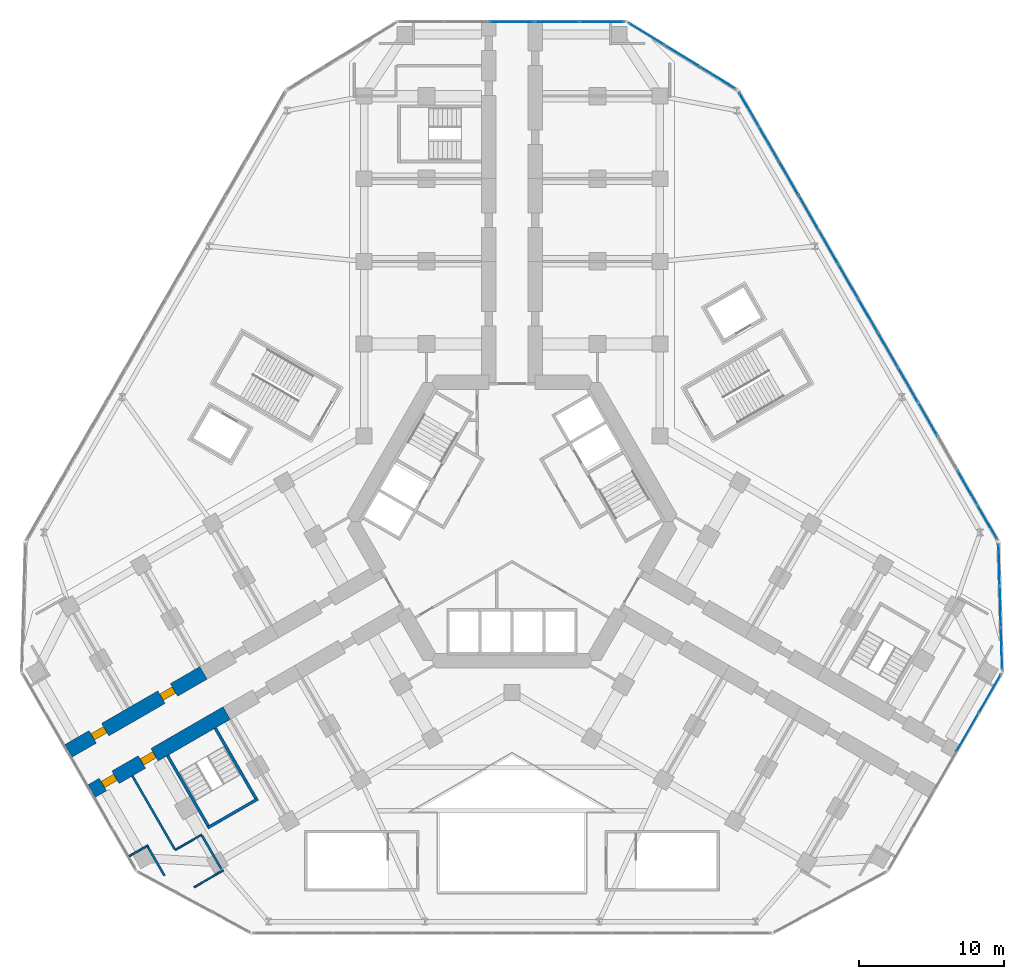
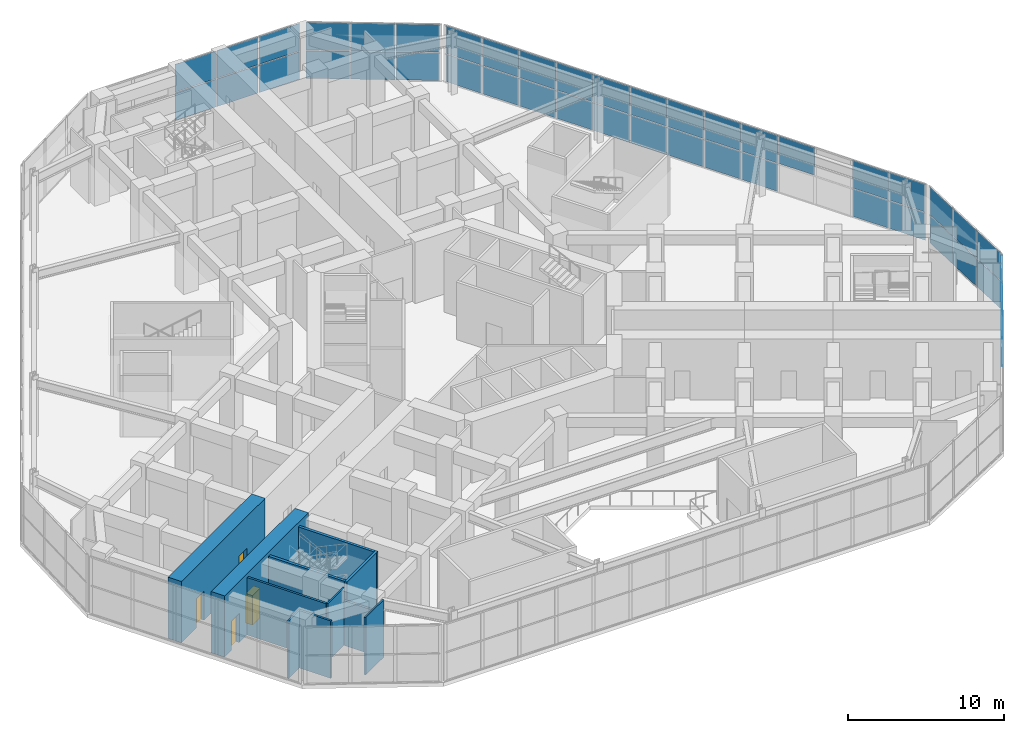
# One storey, part 14 of 22: 45 plates, 11 walls, 4 doors, 4 openings, 5 elements without a shape of their own.
"""IFC4 building model written with IfcOpenShell, lengths in metres."""

from ifc_helpers import new_model, si_unit, direction, frame, frame_2d, origin, origin_2d, place, context, subcontext, project, spatial, rectangle, extrude, material, layer, layer_set, type_object, element, fill, aggregate, save


model = new_model("IFC4")

# Units and contexts
model_context = context("Model", 3, precision=1e-05, world=origin(), true_north=direction((0.0, 1.0)))
body_context = subcontext(model_context, "Body", "Model", "MODEL_VIEW")
ifc_project = project(units=[si_unit("LENGTHUNIT", "METRE"), si_unit("AREAUNIT", "SQUARE_METRE"), si_unit("VOLUMEUNIT", "CUBIC_METRE"), si_unit("PLANEANGLEUNIT", "RADIAN"), si_unit("MASSUNIT", "GRAM", prefix="KILO")], contexts=[model_context])

# Site, building, storey
site_placement = place(None, origin())
site = spatial("IfcSite", under=ifc_project, at=site_placement, CompositionType="ELEMENT")
building_placement = place(site_placement, origin())
building = spatial("IfcBuilding", under=site, at=building_placement, Name="Kosmar Iwan School Tower", CompositionType="ELEMENT")
storey_placement = place(building_placement, frame((0.0, 0.0, 15.60009765625)))
storey = spatial("IfcBuildingStorey", under=building, at=storey_placement, Name="L03", CompositionType="ELEMENT", Elevation=15.60009765625)

# Curtain wall, plates
ifc_material_1 = material(Name="Dark glass in black aluminium frame", Category="aluminium")
curtain_wall_type_1 = type_object("IfcCurtainWallType", Name="Tower curtain wall dark glass", PredefinedType="USERDEFINED", material=ifc_material_1)
curtain_wall_1_placement = place(storey_placement, origin())
curtain_wall_1 = element("IfcCurtainWall", 1, at=curtain_wall_1_placement, inside=storey, type_object=curtain_wall_type_1, Name="Curtain wall L03-F02", ObjectType="UNITISED CURTAIN WALL", PredefinedType="USERDEFINED")
ifc_material_2 = material(Name="Dark glass", Category="glass")
ifc_layer_1 = layer(ifc_material_2, 0.028076171875)
ifc_layer_set_1 = layer_set([ifc_layer_1], Name="Dark glass panel 28")
plate_type = type_object("IfcPlateType", Name="Dark glass panel 28", PredefinedType="CURTAIN_PANEL", material=ifc_layer_set_1)
plate_1_placement = place(storey_placement, frame((31.4091796875, -14.5478515625, 0.06005859375), z_axis=(0.0, 0.0, 1.0), x_axis=(0.500000014057, 0.866025395669, 0.0)))
plate_1 = element("IfcPlate", 2, at=plate_1_placement, type_object=plate_type, Name="CW1 panel 4.1", PredefinedType="CURTAIN_PANEL", context=body_context, shape_type="SweptSolid", body=[
    extrude(rectangle(XDim=3.040771484375, YDim=0.028076171875, at=origin_2d()), origin(), (0.0, 0.0, 1.0), 2.159912109375),
])
plate_2_placement = place(storey_placement, frame((31.4091796875, -14.5478515625, 2.27978515625), z_axis=(0.0, 0.0, 1.0), x_axis=(0.500000014057, 0.866025395669, 0.0)))
plate_2 = element("IfcPlate", 3, at=plate_2_placement, type_object=plate_type, Name="CW1 panel 4.2", PredefinedType="CURTAIN_PANEL", context=body_context, shape_type="SweptSolid", body=[
    extrude(rectangle(XDim=3.040771484375, YDim=0.028076171875, at=origin_2d()), origin(), (0.0, 0.0, 1.0), 2.159912109375),
])
plate_3_placement = place(storey_placement, frame((32.953857421875, -11.8720703125, 0.06005859375), z_axis=(0.0, 0.0, 1.0), x_axis=(0.500000014057, 0.866025395669, 0.0)))
plate_3 = element("IfcPlate", 4, at=plate_3_placement, type_object=plate_type, Name="CW1 panel 5.1", PredefinedType="CURTAIN_PANEL", context=body_context, shape_type="SweptSolid", body=[
    extrude(rectangle(XDim=3.00830078125, YDim=0.028076171875, at=origin_2d()), origin(), (0.0, 0.0, 1.0), 2.159912109375),
])
plate_4_placement = place(storey_placement, frame((32.953857421875, -11.8720703125, 2.27978515625), z_axis=(0.0, 0.0, 1.0), x_axis=(0.500000014057, 0.866025395669, 0.0)))
plate_4 = element("IfcPlate", 5, at=plate_4_placement, type_object=plate_type, Name="CW1 panel 5.2", PredefinedType="CURTAIN_PANEL", context=body_context, shape_type="SweptSolid", body=[
    extrude(rectangle(XDim=3.00830078125, YDim=0.028076171875, at=origin_2d()), origin(), (0.0, 0.0, 1.0), 2.159912109375),
])
aggregate(curtain_wall_1, [plate_1, plate_2, plate_3, plate_4])

ifc_material_3 = material(Name="Dark glass in black aluminium frame", Category="aluminium")
curtain_wall_type_2 = type_object("IfcCurtainWallType", Name="Podium curtain wall", PredefinedType="USERDEFINED", material=ifc_material_3)
curtain_wall_2_placement = place(storey_placement, origin())
curtain_wall_2 = element("IfcCurtainWall", 6, at=curtain_wall_2_placement, inside=storey, type_object=curtain_wall_type_2, Name="Curtain wall L03-F03", ObjectType="STICK CURTAIN WALL", PredefinedType="USERDEFINED")
plate_5_placement = place(storey_placement, frame((33.767578125, -8.765380859375, 0.06005859375), z_axis=(0.0, 0.0, 1.0), x_axis=(-0.028386151255, 0.999597032017, 0.0)))
plate_5 = element("IfcPlate", 7, at=plate_5_placement, type_object=plate_type, Name="CW3 panel 1.1", PredefinedType="CURTAIN_PANEL", context=body_context, shape_type="SweptSolid", body=[
    extrude(rectangle(XDim=2.806884765625, YDim=0.028076171875, at=origin_2d()), origin(), (0.0, 0.0, 1.0), 2.159912109375),
])
plate_6_placement = place(storey_placement, frame((33.767578125, -8.765380859375, 2.27978515625), z_axis=(0.0, 0.0, 1.0), x_axis=(-0.028386151255, 0.999597032017, 0.0)))
plate_6 = element("IfcPlate", 8, at=plate_6_placement, type_object=plate_type, Name="CW3 panel 1.2", PredefinedType="CURTAIN_PANEL", context=body_context, shape_type="SweptSolid", body=[
    extrude(rectangle(XDim=2.806884765625, YDim=0.028076171875, at=origin_2d()), origin(), (0.0, 0.0, 1.0), 2.159912109375),
])
plate_7_placement = place(storey_placement, frame((33.685546875, -5.87841796875, 0.06005859375), z_axis=(0.0, 0.0, 1.0), x_axis=(-0.028386151255, 0.999597032017, 0.0)))
plate_7 = element("IfcPlate", 9, at=plate_7_placement, type_object=plate_type, Name="CW3 panel 2.1", PredefinedType="CURTAIN_PANEL", context=body_context, shape_type="SweptSolid", body=[
    extrude(rectangle(XDim=2.83935546875, YDim=0.028076171875, at=origin_2d()), origin(), (0.0, 0.0, 1.0), 2.159912109375),
])
plate_8_placement = place(storey_placement, frame((33.685546875, -5.87841796875, 2.27978515625), z_axis=(0.0, 0.0, 1.0), x_axis=(-0.028386151255, 0.999597032017, 0.0)))
plate_8 = element("IfcPlate", 10, at=plate_8_placement, type_object=plate_type, Name="CW3 panel 2.2", PredefinedType="CURTAIN_PANEL", context=body_context, shape_type="SweptSolid", body=[
    extrude(rectangle(XDim=2.83935546875, YDim=0.028076171875, at=origin_2d()), origin(), (0.0, 0.0, 1.0), 2.159912109375),
])
plate_9_placement = place(storey_placement, frame((33.603515625, -2.991455078125, 0.06005859375), z_axis=(0.0, 0.0, 1.0), x_axis=(-0.028386151255, 0.999597032017, 0.0)))
plate_9 = element("IfcPlate", 11, at=plate_9_placement, type_object=plate_type, Name="CW3 panel 3.1", PredefinedType="CURTAIN_PANEL", context=body_context, shape_type="SweptSolid", body=[
    extrude(rectangle(XDim=2.806884765625, YDim=0.028076171875, at=origin_2d()), origin(), (0.0, 0.0, 1.0), 2.159912109375),
])
plate_10_placement = place(storey_placement, frame((33.603515625, -2.991455078125, 2.27978515625), z_axis=(0.0, 0.0, 1.0), x_axis=(-0.028386151255, 0.999597032017, 0.0)))
plate_10 = element("IfcPlate", 12, at=plate_10_placement, type_object=plate_type, Name="CW3 panel 3.2", PredefinedType="CURTAIN_PANEL", context=body_context, shape_type="SweptSolid", body=[
    extrude(rectangle(XDim=2.806884765625, YDim=0.028076171875, at=origin_2d()), origin(), (0.0, 0.0, 1.0), 2.159912109375),
])
aggregate(curtain_wall_2, [plate_5, plate_6, plate_7, plate_8, plate_9, plate_10])

curtain_wall_3_placement = place(storey_placement, origin())
curtain_wall_3 = element("IfcCurtainWall", 13, at=curtain_wall_3_placement, inside=storey, type_object=curtain_wall_type_2, Name="Curtain wall L03-F04", ObjectType="STICK CURTAIN WALL", PredefinedType="USERDEFINED")
plate_11_placement = place(storey_placement, frame((32.789306640625, -0.04248046875, 0.06005859375), z_axis=(0.0, 0.0, 1.0), x_axis=(-0.50000002237, 0.866025390869, 0.0)))
plate_11 = element("IfcPlate", 14, at=plate_11_placement, type_object=plate_type, Name="CW3 panel 1.1", PredefinedType="CURTAIN_PANEL", context=body_context, shape_type="SweptSolid", body=[
    extrude(rectangle(XDim=2.643798828125, YDim=0.028076171875, at=origin_2d()), origin(), (0.0, 0.0, 1.0), 2.159912109375),
])
plate_12_placement = place(storey_placement, frame((32.789306640625, -0.04248046875, 2.27978515625), z_axis=(0.0, 0.0, 1.0), x_axis=(-0.50000002237, 0.866025390869, 0.0)))
plate_12 = element("IfcPlate", 15, at=plate_12_placement, type_object=plate_type, Name="CW3 panel 1.2", PredefinedType="CURTAIN_PANEL", context=body_context, shape_type="SweptSolid", body=[
    extrude(rectangle(XDim=2.643798828125, YDim=0.028076171875, at=origin_2d()), origin(), (0.0, 0.0, 1.0), 2.159912109375),
])
plate_13_placement = place(storey_placement, frame((31.4267578125, 2.3173828125, 0.06005859375), z_axis=(0.0, 0.0, 1.0), x_axis=(-0.50000002237, 0.866025390869, 0.0)))
plate_13 = element("IfcPlate", 16, at=plate_13_placement, type_object=plate_type, Name="CW3 panel 2.1", PredefinedType="CURTAIN_PANEL", context=body_context, shape_type="SweptSolid", body=[
    extrude(rectangle(XDim=2.67626953125, YDim=0.028076171875, at=origin_2d()), origin(), (0.0, 0.0, 1.0), 2.159912109375),
])
plate_14_placement = place(storey_placement, frame((31.4267578125, 2.3173828125, 2.27978515625), z_axis=(0.0, 0.0, 1.0), x_axis=(-0.50000002237, 0.866025390869, 0.0)))
plate_14 = element("IfcPlate", 17, at=plate_14_placement, type_object=plate_type, Name="CW3 panel 2.2", PredefinedType="CURTAIN_PANEL", context=body_context, shape_type="SweptSolid", body=[
    extrude(rectangle(XDim=2.67626953125, YDim=0.028076171875, at=origin_2d()), origin(), (0.0, 0.0, 1.0), 2.159912109375),
])
plate_15_placement = place(storey_placement, frame((28.685302734375, 7.0654296875, 2.27978515625), z_axis=(0.0, 0.0, 1.0), x_axis=(-0.50000002237, 0.866025390869, 0.0)))
plate_15 = element("IfcPlate", 18, at=plate_15_placement, type_object=plate_type, Name="CW3 panel 4.2", PredefinedType="CURTAIN_PANEL", context=body_context, shape_type="SweptSolid", body=[
    extrude(rectangle(XDim=2.67626953125, YDim=0.028076171875, at=origin_2d()), origin(), (0.0, 0.0, 1.0), 2.159912109375),
])
plate_16_placement = place(storey_placement, frame((27.314697265625, 9.439453125, 0.06005859375), z_axis=(0.0, 0.0, 1.0), x_axis=(-0.50000002237, 0.866025390869, 0.0)))
plate_16 = element("IfcPlate", 19, at=plate_16_placement, type_object=plate_type, Name="CW3 panel 5.1", PredefinedType="CURTAIN_PANEL", context=body_context, shape_type="SweptSolid", body=[
    extrude(rectangle(XDim=2.67626953125, YDim=0.028076171875, at=origin_2d()), origin(), (0.0, 0.0, 1.0), 2.159912109375),
])
plate_17_placement = place(storey_placement, frame((27.314697265625, 9.439453125, 2.27978515625), z_axis=(0.0, 0.0, 1.0), x_axis=(-0.50000002237, 0.866025390869, 0.0)))
plate_17 = element("IfcPlate", 20, at=plate_17_placement, type_object=plate_type, Name="CW3 panel 5.2", PredefinedType="CURTAIN_PANEL", context=body_context, shape_type="SweptSolid", body=[
    extrude(rectangle(XDim=2.67626953125, YDim=0.028076171875, at=origin_2d()), origin(), (0.0, 0.0, 1.0), 2.159912109375),
])
plate_18_placement = place(storey_placement, frame((25.944091796875, 11.8134765625, 0.06005859375), z_axis=(0.0, 0.0, 1.0), x_axis=(-0.50000002237, 0.866025390869, 0.0)))
plate_18 = element("IfcPlate", 21, at=plate_18_placement, type_object=plate_type, Name="CW3 panel 6.1", PredefinedType="CURTAIN_PANEL", context=body_context, shape_type="SweptSolid", body=[
    extrude(rectangle(XDim=2.67626953125, YDim=0.028076171875, at=origin_2d()), origin(), (0.0, 0.0, 1.0), 2.159912109375),
])
plate_19_placement = place(storey_placement, frame((25.944091796875, 11.8134765625, 2.27978515625), z_axis=(0.0, 0.0, 1.0), x_axis=(-0.50000002237, 0.866025390869, 0.0)))
plate_19 = element("IfcPlate", 22, at=plate_19_placement, type_object=plate_type, Name="CW3 panel 6.2", PredefinedType="CURTAIN_PANEL", context=body_context, shape_type="SweptSolid", body=[
    extrude(rectangle(XDim=2.67626953125, YDim=0.028076171875, at=origin_2d()), origin(), (0.0, 0.0, 1.0), 2.159912109375),
])
plate_20_placement = place(storey_placement, frame((24.573486328125, 14.1875, 0.06005859375), z_axis=(0.0, 0.0, 1.0), x_axis=(-0.50000002237, 0.866025390869, 0.0)))
plate_20 = element("IfcPlate", 23, at=plate_20_placement, type_object=plate_type, Name="CW3 panel 7.1", PredefinedType="CURTAIN_PANEL", context=body_context, shape_type="SweptSolid", body=[
    extrude(rectangle(XDim=2.67626953125, YDim=0.028076171875, at=origin_2d()), origin(), (0.0, 0.0, 1.0), 2.159912109375),
])
plate_21_placement = place(storey_placement, frame((24.573486328125, 14.1875, 2.27978515625), z_axis=(0.0, 0.0, 1.0), x_axis=(-0.50000002237, 0.866025390869, 0.0)))
plate_21 = element("IfcPlate", 24, at=plate_21_placement, type_object=plate_type, Name="CW3 panel 7.2", PredefinedType="CURTAIN_PANEL", context=body_context, shape_type="SweptSolid", body=[
    extrude(rectangle(XDim=2.67626953125, YDim=0.028076171875, at=origin_2d()), origin(), (0.0, 0.0, 1.0), 2.159912109375),
])
plate_22_placement = place(storey_placement, frame((23.202880859375, 16.5615234375, 0.06005859375), z_axis=(0.0, 0.0, 1.0), x_axis=(-0.50000002237, 0.866025390869, 0.0)))
plate_22 = element("IfcPlate", 25, at=plate_22_placement, type_object=plate_type, Name="CW3 panel 8.1", PredefinedType="CURTAIN_PANEL", context=body_context, shape_type="SweptSolid", body=[
    extrude(rectangle(XDim=2.67626953125, YDim=0.028076171875, at=origin_2d()), origin(), (0.0, 0.0, 1.0), 2.159912109375),
])
plate_23_placement = place(storey_placement, frame((23.202880859375, 16.5615234375, 2.27978515625), z_axis=(0.0, 0.0, 1.0), x_axis=(-0.50000002237, 0.866025390869, 0.0)))
plate_23 = element("IfcPlate", 26, at=plate_23_placement, type_object=plate_type, Name="CW3 panel 8.2", PredefinedType="CURTAIN_PANEL", context=body_context, shape_type="SweptSolid", body=[
    extrude(rectangle(XDim=2.67626953125, YDim=0.028076171875, at=origin_2d()), origin(), (0.0, 0.0, 1.0), 2.159912109375),
])
plate_24_placement = place(storey_placement, frame((21.832275390625, 18.935546875, 0.06005859375), z_axis=(0.0, 0.0, 1.0), x_axis=(-0.50000002237, 0.866025390869, 0.0)))
plate_24 = element("IfcPlate", 27, at=plate_24_placement, type_object=plate_type, Name="CW3 panel 9.1", PredefinedType="CURTAIN_PANEL", context=body_context, shape_type="SweptSolid", body=[
    extrude(rectangle(XDim=2.67626953125, YDim=0.028076171875, at=origin_2d()), origin(), (0.0, 0.0, 1.0), 2.159912109375),
])
plate_25_placement = place(storey_placement, frame((21.832275390625, 18.935546875, 2.27978515625), z_axis=(0.0, 0.0, 1.0), x_axis=(-0.50000002237, 0.866025390869, 0.0)))
plate_25 = element("IfcPlate", 28, at=plate_25_placement, type_object=plate_type, Name="CW3 panel 9.2", PredefinedType="CURTAIN_PANEL", context=body_context, shape_type="SweptSolid", body=[
    extrude(rectangle(XDim=2.67626953125, YDim=0.028076171875, at=origin_2d()), origin(), (0.0, 0.0, 1.0), 2.159912109375),
])
plate_26_placement = place(storey_placement, frame((20.46142578125, 21.3095703125, 0.06005859375), z_axis=(0.0, 0.0, 1.0), x_axis=(-0.50000002237, 0.866025390869, 0.0)))
plate_26 = element("IfcPlate", 29, at=plate_26_placement, type_object=plate_type, Name="CW3 panel 10.1", PredefinedType="CURTAIN_PANEL", context=body_context, shape_type="SweptSolid", body=[
    extrude(rectangle(XDim=2.67626953125, YDim=0.028076171875, at=origin_2d()), origin(), (0.0, 0.0, 1.0), 2.159912109375),
])
plate_27_placement = place(storey_placement, frame((20.46142578125, 21.3095703125, 2.27978515625), z_axis=(0.0, 0.0, 1.0), x_axis=(-0.50000002237, 0.866025390869, 0.0)))
plate_27 = element("IfcPlate", 30, at=plate_27_placement, type_object=plate_type, Name="CW3 panel 10.2", PredefinedType="CURTAIN_PANEL", context=body_context, shape_type="SweptSolid", body=[
    extrude(rectangle(XDim=2.67626953125, YDim=0.028076171875, at=origin_2d()), origin(), (0.0, 0.0, 1.0), 2.159912109375),
])
plate_28_placement = place(storey_placement, frame((19.0908203125, 23.68359375, 0.06005859375), z_axis=(0.0, 0.0, 1.0), x_axis=(-0.50000002237, 0.866025390869, 0.0)))
plate_28 = element("IfcPlate", 31, at=plate_28_placement, type_object=plate_type, Name="CW3 panel 11.1", PredefinedType="CURTAIN_PANEL", context=body_context, shape_type="SweptSolid", body=[
    extrude(rectangle(XDim=2.67626953125, YDim=0.028076171875, at=origin_2d()), origin(), (0.0, 0.0, 1.0), 2.159912109375),
])
plate_29_placement = place(storey_placement, frame((19.0908203125, 23.68359375, 2.27978515625), z_axis=(0.0, 0.0, 1.0), x_axis=(-0.50000002237, 0.866025390869, 0.0)))
plate_29 = element("IfcPlate", 32, at=plate_29_placement, type_object=plate_type, Name="CW3 panel 11.2", PredefinedType="CURTAIN_PANEL", context=body_context, shape_type="SweptSolid", body=[
    extrude(rectangle(XDim=2.67626953125, YDim=0.028076171875, at=origin_2d()), origin(), (0.0, 0.0, 1.0), 2.159912109375),
])
plate_30_placement = place(storey_placement, frame((17.72021484375, 26.0576171875, 0.06005859375), z_axis=(0.0, 0.0, 1.0), x_axis=(-0.50000002237, 0.866025390869, 0.0)))
plate_30 = element("IfcPlate", 33, at=plate_30_placement, type_object=plate_type, Name="CW3 panel 12.1", PredefinedType="CURTAIN_PANEL", context=body_context, shape_type="SweptSolid", body=[
    extrude(rectangle(XDim=2.67626953125, YDim=0.028076171875, at=origin_2d()), origin(), (0.0, 0.0, 1.0), 2.159912109375),
])
plate_31_placement = place(storey_placement, frame((17.72021484375, 26.0576171875, 2.27978515625), z_axis=(0.0, 0.0, 1.0), x_axis=(-0.50000002237, 0.866025390869, 0.0)))
plate_31 = element("IfcPlate", 34, at=plate_31_placement, type_object=plate_type, Name="CW3 panel 12.2", PredefinedType="CURTAIN_PANEL", context=body_context, shape_type="SweptSolid", body=[
    extrude(rectangle(XDim=2.67626953125, YDim=0.028076171875, at=origin_2d()), origin(), (0.0, 0.0, 1.0), 2.159912109375),
])
plate_32_placement = place(storey_placement, frame((16.357666015625, 28.41748046875, 0.06005859375), z_axis=(0.0, 0.0, 1.0), x_axis=(-0.50000002237, 0.866025390869, 0.0)))
plate_32 = element("IfcPlate", 35, at=plate_32_placement, type_object=plate_type, Name="CW3 panel 13.1", PredefinedType="CURTAIN_PANEL", context=body_context, shape_type="SweptSolid", body=[
    extrude(rectangle(XDim=2.643798828125, YDim=0.028076171875, at=origin_2d()), origin(), (0.0, 0.0, 1.0), 2.159912109375),
])
plate_33_placement = place(storey_placement, frame((16.357666015625, 28.41748046875, 2.27978515625), z_axis=(0.0, 0.0, 1.0), x_axis=(-0.50000002237, 0.866025390869, 0.0)))
plate_33 = element("IfcPlate", 36, at=plate_33_placement, type_object=plate_type, Name="CW3 panel 13.2", PredefinedType="CURTAIN_PANEL", context=body_context, shape_type="SweptSolid", body=[
    extrude(rectangle(XDim=2.643798828125, YDim=0.028076171875, at=origin_2d()), origin(), (0.0, 0.0, 1.0), 2.159912109375),
])
aggregate(curtain_wall_3, [plate_11, plate_12, plate_13, plate_14, plate_15, plate_16, plate_17, plate_18, plate_19, plate_20, plate_21, plate_22, plate_23, plate_24, plate_25, plate_26, plate_27, plate_28, plate_29, plate_30, plate_31, plate_32, plate_33])

curtain_wall_4_placement = place(storey_placement, origin())
curtain_wall_4 = element("IfcCurtainWall", 37, at=curtain_wall_4_placement, inside=storey, type_object=curtain_wall_type_2, Name="Curtain wall L03-F05", ObjectType="STICK CURTAIN WALL", PredefinedType="USERDEFINED")
plate_34_placement = place(storey_placement, frame((14.211181640625, 30.59716796875, 0.06005859375), z_axis=(0.0, 0.0, 1.0), x_axis=(-0.851483299186, 0.524381722801, 0.0)))
plate_34 = element("IfcPlate", 38, at=plate_34_placement, type_object=plate_type, Name="CW3 panel 1.1", PredefinedType="CURTAIN_PANEL", context=body_context, shape_type="SweptSolid", body=[
    extrude(rectangle(XDim=2.806884765625, YDim=0.028076171875, at=origin_2d()), origin(), (0.0, 0.0, 1.0), 2.159912109375),
])
plate_35_placement = place(storey_placement, frame((14.211181640625, 30.59716796875, 2.27978515625), z_axis=(0.0, 0.0, 1.0), x_axis=(-0.851483299186, 0.524381722801, 0.0)))
plate_35 = element("IfcPlate", 39, at=plate_35_placement, type_object=plate_type, Name="CW3 panel 1.2", PredefinedType="CURTAIN_PANEL", context=body_context, shape_type="SweptSolid", body=[
    extrude(rectangle(XDim=2.806884765625, YDim=0.028076171875, at=origin_2d()), origin(), (0.0, 0.0, 1.0), 2.159912109375),
])
plate_36_placement = place(storey_placement, frame((11.751953125, 32.11181640625, 0.06005859375), z_axis=(0.0, 0.0, 1.0), x_axis=(-0.851483299186, 0.524381722801, 0.0)))
plate_36 = element("IfcPlate", 40, at=plate_36_placement, type_object=plate_type, Name="CW3 panel 2.1", PredefinedType="CURTAIN_PANEL", context=body_context, shape_type="SweptSolid", body=[
    extrude(rectangle(XDim=2.83935546875, YDim=0.028076171875, at=origin_2d()), origin(), (0.0, 0.0, 1.0), 2.159912109375),
])
plate_37_placement = place(storey_placement, frame((11.751953125, 32.11181640625, 2.27978515625), z_axis=(0.0, 0.0, 1.0), x_axis=(-0.851483299186, 0.524381722801, 0.0)))
plate_37 = element("IfcPlate", 41, at=plate_37_placement, type_object=plate_type, Name="CW3 panel 2.2", PredefinedType="CURTAIN_PANEL", context=body_context, shape_type="SweptSolid", body=[
    extrude(rectangle(XDim=2.83935546875, YDim=0.028076171875, at=origin_2d()), origin(), (0.0, 0.0, 1.0), 2.159912109375),
])
plate_38_placement = place(storey_placement, frame((9.292724609375, 33.626220703125, 0.06005859375), z_axis=(0.0, 0.0, 1.0), x_axis=(-0.851483299186, 0.524381722801, 0.0)))
plate_38 = element("IfcPlate", 42, at=plate_38_placement, type_object=plate_type, Name="CW3 panel 3.1", PredefinedType="CURTAIN_PANEL", context=body_context, shape_type="SweptSolid", body=[
    extrude(rectangle(XDim=2.806884765625, YDim=0.028076171875, at=origin_2d()), origin(), (0.0, 0.0, 1.0), 2.159912109375),
])
plate_39_placement = place(storey_placement, frame((9.292724609375, 33.626220703125, 2.27978515625), z_axis=(0.0, 0.0, 1.0), x_axis=(-0.851483299186, 0.524381722801, 0.0)))
plate_39 = element("IfcPlate", 43, at=plate_39_placement, type_object=plate_type, Name="CW3 panel 3.2", PredefinedType="CURTAIN_PANEL", context=body_context, shape_type="SweptSolid", body=[
    extrude(rectangle(XDim=2.806884765625, YDim=0.028076171875, at=origin_2d()), origin(), (0.0, 0.0, 1.0), 2.159912109375),
])
aggregate(curtain_wall_4, [plate_34, plate_35, plate_36, plate_37, plate_38, plate_39])

curtain_wall_5_placement = place(storey_placement, origin())
curtain_wall_5 = element("IfcCurtainWall", 44, at=curtain_wall_5_placement, inside=storey, type_object=curtain_wall_type_1, Name="Curtain wall L03-F06", ObjectType="UNITISED CURTAIN WALL", PredefinedType="USERDEFINED")
plate_40_placement = place(storey_placement, frame((6.1953125, 34.47509765625, 0.06005859375), z_axis=(0.0, 0.0, 1.0), x_axis=(-1.0, 0.0, 0.0)))
plate_40 = element("IfcPlate", 45, at=plate_40_placement, type_object=plate_type, Name="CW1 panel 1.1", PredefinedType="CURTAIN_PANEL", context=body_context, shape_type="SweptSolid", body=[
    extrude(rectangle(XDim=3.00830078125, YDim=0.028076171875, at=origin_2d()), origin(), (0.0, 0.0, 1.0), 2.159912109375),
])
plate_41_placement = place(storey_placement, frame((6.1953125, 34.47509765625, 2.27978515625), z_axis=(0.0, 0.0, 1.0), x_axis=(-1.0, 0.0, 0.0)))
plate_41 = element("IfcPlate", 46, at=plate_41_placement, type_object=plate_type, Name="CW1 panel 1.2", PredefinedType="CURTAIN_PANEL", context=body_context, shape_type="SweptSolid", body=[
    extrude(rectangle(XDim=3.00830078125, YDim=0.028076171875, at=origin_2d()), origin(), (0.0, 0.0, 1.0), 2.159912109375),
])
plate_42_placement = place(storey_placement, frame((3.10595703125, 34.47509765625, 0.06005859375), z_axis=(0.0, 0.0, 1.0), x_axis=(-1.0, 0.0, 0.0)))
plate_42 = element("IfcPlate", 47, at=plate_42_placement, type_object=plate_type, Name="CW1 panel 2.1", PredefinedType="CURTAIN_PANEL", context=body_context, shape_type="SweptSolid", body=[
    extrude(rectangle(XDim=3.040771484375, YDim=0.028076171875, at=origin_2d()), origin(), (0.0, 0.0, 1.0), 2.159912109375),
])
plate_43_placement = place(storey_placement, frame((3.10595703125, 34.47509765625, 2.27978515625), z_axis=(0.0, 0.0, 1.0), x_axis=(-1.0, 0.0, 0.0)))
plate_43 = element("IfcPlate", 48, at=plate_43_placement, type_object=plate_type, Name="CW1 panel 2.2", PredefinedType="CURTAIN_PANEL", context=body_context, shape_type="SweptSolid", body=[
    extrude(rectangle(XDim=3.040771484375, YDim=0.028076171875, at=origin_2d()), origin(), (0.0, 0.0, 1.0), 2.159912109375),
])
plate_44_placement = place(storey_placement, frame((0.0, 34.47509765625, 0.06005859375), z_axis=(0.0, 0.0, 1.0), x_axis=(-1.0, 0.0, 0.0)))
plate_44 = element("IfcPlate", 49, at=plate_44_placement, type_object=plate_type, Name="CW1 panel 3.1", PredefinedType="CURTAIN_PANEL", context=body_context, shape_type="SweptSolid", body=[
    extrude(rectangle(XDim=3.040771484375, YDim=0.028076171875, at=origin_2d()), origin(), (0.0, 0.0, 1.0), 2.159912109375),
])
plate_45_placement = place(storey_placement, frame((0.0, 34.47509765625, 2.27978515625), z_axis=(0.0, 0.0, 1.0), x_axis=(-1.0, 0.0, 0.0)))
plate_45 = element("IfcPlate", 50, at=plate_45_placement, type_object=plate_type, Name="CW1 panel 3.2", PredefinedType="CURTAIN_PANEL", context=body_context, shape_type="SweptSolid", body=[
    extrude(rectangle(XDim=3.040771484375, YDim=0.028076171875, at=origin_2d()), origin(), (0.0, 0.0, 1.0), 2.159912109375),
])
aggregate(curtain_wall_5, [plate_40, plate_41, plate_42, plate_43, plate_44, plate_45])

# Wall, openings, doors
ifc_material_4 = material(Name="Concrete C50/60", Category="concrete")
ifc_layer_2 = layer(ifc_material_4, 1.0)
ifc_layer_set_2 = layer_set([ifc_layer_2], Name="Corridor buttress wall 1000")
wall_type_1 = type_object("IfcWallType", Name="Corridor buttress wall 1000", PredefinedType="SHEAR", material=ifc_layer_set_2)
wall_1_placement = place(storey_placement, frame((-19.681396484375, -13.210693359375, 0.0), z_axis=(0.0, 0.0, 1.0), x_axis=(-0.866028186671, -0.499995179869, 0.0)))
wall_1 = element("IfcWall", 51, at=wall_1_placement, inside=storey, type_object=wall_type_1, Name="Corridor wall BL bay 3", PredefinedType="SHEAR", context=body_context, shape_type="SweptSolid", body=[
    extrude(rectangle(XDim=10.7451171875, YDim=1.0, at=frame_2d((5.37255859375, 0.0))), origin(), (0.0, 0.0, 1.0), 4.7998046875),
])
opening_1_placement = place(wall_1_placement, frame((5.75, 0.0, 0.0)))
opening_1 = element("IfcOpeningElement", 52, at=opening_1_placement, cuts=wall_1, Name="Opening D4", PredefinedType="OPENING", context=body_context, shape_type="SweptSolid", body=[
    extrude(rectangle(XDim=1.0, YDim=2.300048828125, at=frame_2d((0.5, 1.14990234375))), frame((0.0, 0.511962890625, 0.0), z_axis=(0.0, -1.0, 0.0), x_axis=(1.0, 0.0, 0.0)), (0.0, 0.0, 1.0), 1.02392578125),
])
opening_2_placement = place(wall_1_placement, frame((8.860107421875, 0.0, 0.0)))
opening_2 = element("IfcOpeningElement", 53, at=opening_2_placement, cuts=wall_1, Name="Opening D4", PredefinedType="OPENING", context=body_context, shape_type="SweptSolid", body=[
    extrude(rectangle(XDim=1.0, YDim=2.300048828125, at=frame_2d((0.5, 1.14990234375))), frame((0.0, 0.511962890625, 0.0), z_axis=(0.0, -1.0, 0.0), x_axis=(1.0, 0.0, 0.0)), (0.0, 0.0, 1.0), 1.02392578125),
])
ifc_material_5 = material(Name="Timber fire door with vision panel", Category="wood")
door_type = type_object("IfcDoorType", Name="Classroom door 1000x2300", OperationType="SINGLE_SWING_LEFT", PredefinedType="DOOR", material=ifc_material_5)
door_1_placement = place(opening_1_placement, origin())
door_1 = element("IfcDoor", 54, at=door_1_placement, inside=storey, type_object=door_type, Name="Secondary classroom BL3 door L03-BL3", OperationType="SINGLE_SWING_LEFT", OverallHeight=2.300048828125, OverallWidth=1.0, PredefinedType="DOOR", context=body_context, shape_type="SweptSolid", body=[
    extrude(rectangle(XDim=1.0, YDim=2.300048828125, at=frame_2d((0.5, 1.14990234375))), frame((0.0, 0.25, 0.0), z_axis=(0.0, -1.0, 0.0), x_axis=(1.0, 0.0, 0.0)), (0.0, 0.0, 1.0), 0.5),
])
fill(opening_1, door_1)
door_2_placement = place(opening_2_placement, origin())
door_2 = element("IfcDoor", 55, at=door_2_placement, inside=storey, type_object=door_type, Name="Toilets door L03-BL4", OperationType="SINGLE_SWING_RIGHT", OverallHeight=2.300048828125, OverallWidth=1.0, PredefinedType="DOOR", context=body_context, shape_type="SweptSolid", body=[
    extrude(rectangle(XDim=1.0, YDim=2.300048828125, at=frame_2d((0.5, 1.14990234375))), frame((0.0, 0.25, 0.0), z_axis=(0.0, -1.0, 0.0), x_axis=(1.0, 0.0, 0.0)), (0.0, 0.0, 1.0), 0.5),
])
fill(opening_2, door_2)

wall_2_placement = place(storey_placement, frame((-21.281494140625, -10.439453125, 0.0), z_axis=(0.0, 0.0, 1.0), x_axis=(-0.866032345022, -0.499987977232, 0.0)))
wall_2 = element("IfcWall", 56, at=wall_2_placement, inside=storey, type_object=wall_type_1, Name="Corridor wall BR bay 3", PredefinedType="SHEAR", context=body_context, shape_type="SweptSolid", body=[
    extrude(rectangle(XDim=10.744873046875, YDim=1.0, at=frame_2d((5.37255859375, 0.0))), origin(), (0.0, 0.0, 1.0), 4.7998046875),
])
opening_3_placement = place(wall_2_placement, frame((2.35009765625, 0.0, 0.0)))
opening_3 = element("IfcOpeningElement", 57, at=opening_3_placement, cuts=wall_2, Name="Opening D4", PredefinedType="OPENING", context=body_context, shape_type="SweptSolid", body=[
    extrude(rectangle(XDim=1.0, YDim=2.300048828125, at=frame_2d((0.5, 1.14990234375))), frame((0.0, 0.511962890625, 0.0), z_axis=(0.0, -1.0, 0.0), x_axis=(1.0, 0.0, 0.0)), (0.0, 0.0, 1.0), 1.02392578125),
])
opening_4_placement = place(wall_2_placement, frame((7.824951171875, 0.0, 0.0)))
opening_4 = element("IfcOpeningElement", 58, at=opening_4_placement, cuts=wall_2, Name="Opening D4", PredefinedType="OPENING", context=body_context, shape_type="SweptSolid", body=[
    extrude(rectangle(XDim=1.0, YDim=2.300048828125, at=frame_2d((0.5, 1.14990234375))), frame((0.0, 0.511962890625, 0.0), z_axis=(0.0, -1.0, 0.0), x_axis=(1.0, 0.0, 0.0)), (0.0, 0.0, 1.0), 1.02392578125),
])
door_3_placement = place(opening_3_placement, origin())
door_3 = element("IfcDoor", 59, at=door_3_placement, inside=storey, type_object=door_type, Name="Secondary classroom BR3 door L03-BR3", OperationType="SINGLE_SWING_LEFT", OverallHeight=2.300048828125, OverallWidth=1.0, PredefinedType="DOOR", context=body_context, shape_type="SweptSolid", body=[
    extrude(rectangle(XDim=1.0, YDim=2.300048828125, at=frame_2d((0.5, 1.14990234375))), frame((0.0, 0.25, 0.0), z_axis=(0.0, -1.0, 0.0), x_axis=(1.0, 0.0, 0.0)), (0.0, 0.0, 1.0), 0.5),
])
fill(opening_3, door_3)
door_4_placement = place(opening_4_placement, origin())
door_4 = element("IfcDoor", 60, at=door_4_placement, inside=storey, type_object=door_type, Name="Toilets door L03-BR4", OperationType="SINGLE_SWING_RIGHT", OverallHeight=2.300048828125, OverallWidth=1.0, PredefinedType="DOOR", context=body_context, shape_type="SweptSolid", body=[
    extrude(rectangle(XDim=1.0, YDim=2.300048828125, at=frame_2d((0.5, 1.14990234375))), frame((0.0, 0.25, 0.0), z_axis=(0.0, -1.0, 0.0), x_axis=(1.0, 0.0, 0.0)), (0.0, 0.0, 1.0), 0.5),
])
fill(opening_4, door_4)

# Walls
ifc_material_6 = material(Name="Gypsum board on steel studs", Category="steel")
ifc_layer_3 = layer(ifc_material_6, 0.1201171875)
ifc_layer_set_3 = layer_set([ifc_layer_3], Name="Dwelling partition 120")
wall_type_2 = type_object("IfcWallType", Name="Dwelling partition 120", PredefinedType="PARTITIONING", material=ifc_layer_set_3)
wall_3_placement = place(storey_placement, frame((-25.09716796875, -22.330322265625, 0.0), z_axis=(0.0, 0.0, 1.0), x_axis=(-0.866003374288, -0.500038154266, 0.0)))
element("IfcWall", 61, at=wall_3_placement, inside=storey, type_object=wall_type_2, Name="Partition L03-BL-DL", PredefinedType="PARTITIONING", context=body_context, shape_type="SweptSolid", body=[
    extrude(rectangle(XDim=1.4951171875, YDim=0.1201171875, at=frame_2d((0.74755859375, 0.0))), origin(), (0.0, 0.0, 1.0), 4.5),
])
wall_4_placement = place(storey_placement, frame((-19.912841796875, -24.059814453125, 0.0), z_axis=(0.0, 0.0, 1.0), x_axis=(-0.866024722723, -0.500001179632, 0.0)))
element("IfcWall", 62, at=wall_4_placement, inside=storey, type_object=wall_type_2, Name="Partition L03-BL-TW", PredefinedType="PARTITIONING", context=body_context, shape_type="SweptSolid", body=[
    extrude(rectangle(XDim=2.3251953125, YDim=0.1201171875, at=frame_2d((1.16259765625, 0.0))), origin(), (0.0, 0.0, 1.0), 4.5),
])
wall_5_placement = place(storey_placement, frame((-21.417724609375, -21.603271484375, 0.0), z_axis=(0.0, 0.0, 1.0), x_axis=(-0.866038466041, -0.499977374825, 0.0)))
element("IfcWall", 63, at=wall_5_placement, inside=storey, type_object=wall_type_2, Name="Partition L03-BL-X3L", PredefinedType="PARTITIONING", context=body_context, shape_type="SweptSolid", body=[
    extrude(rectangle(XDim=2.10009765625, YDim=0.1201171875, at=frame_2d((1.050048828125, 0.0))), origin(), (0.0, 0.0, 1.0), 4.5),
])
ifc_material_7 = material(Name="Concrete C35/45", Category="concrete")
ifc_layer_4 = layer(ifc_material_7, 0.199951171875)
ifc_layer_set_4 = layer_set([ifc_layer_4], Name="Escape stair wall 200")
wall_type_3 = type_object("IfcWallType", Name="Escape stair wall 200", PredefinedType="SHEAR", material=ifc_layer_set_4)
for number, where, z_axis, x_axis, name in (
    (64, (-20.470703125, -14.24365234375, 0.0), (0.0, 0.0, 1.0), (0.499987231761, -0.866032775405, 0.0), "Stair WS2 wall"),
    (65, (-23.76171875, -16.1435546875, 0.0), (0.0, 0.0, 1.0), (0.500018801468, -0.86601454848, 0.0), "Stair WS2 wall"),
):
    element("IfcWall", number, at=place(storey_placement, frame(where, z_axis=z_axis, x_axis=x_axis)), inside=storey, type_object=wall_type_3, Name=name, PredefinedType="SHEAR", context=body_context, shape_type="SweptSolid", body=[
        extrude(rectangle(XDim=5.800048828125, YDim=0.199951171875, at=frame_2d((2.89990234375, 0.0))), origin(), (0.0, 0.0, 1.0), 4.47998046875),
    ])
wall_6_placement = place(storey_placement, frame((-17.5341796875, -19.1298828125, 0.0), z_axis=(0.0, 0.0, 1.0), x_axis=(-0.866026010844, -0.49999894854, 0.0)))
element("IfcWall", 66, at=wall_6_placement, inside=storey, type_object=wall_type_3, Name="Stair WS2 wall", PredefinedType="SHEAR", context=body_context, shape_type="SweptSolid", body=[
    extrude(rectangle(XDim=4.0, YDim=0.199951171875, at=frame_2d((2.0, 0.0))), origin(), (0.0, 0.0, 1.0), 4.47998046875),
])
ifc_material_8 = material(Name="Gypsum board on steel studs", Category="steel")
ifc_layer_5 = layer(ifc_material_8, 0.14990234375)
ifc_layer_set_5 = layer_set([ifc_layer_5], Name="School partition 150")
wall_type_4 = type_object("IfcWallType", Name="School partition 150", PredefinedType="PARTITIONING", material=ifc_layer_set_5)
wall_7_placement = place(storey_placement, frame((-25.192138671875, -22.31591796875, 0.0), z_axis=(0.0, 0.0, 1.0), x_axis=(0.499973122483, -0.86604092097, 0.0)))
element("IfcWall", 67, at=wall_7_placement, inside=storey, type_object=wall_type_4, Name="Partition L03-BL-DC", PredefinedType="PARTITIONING", context=body_context, shape_type="SweptSolid", body=[
    extrude(rectangle(XDim=2.445068359375, YDim=0.14990234375, at=frame_2d((1.22265625, 0.0))), origin(), (0.0, 0.0, 1.0), 4.5),
])
wall_8_placement = place(storey_placement, frame((-21.387939453125, -21.6552734375, 0.0), z_axis=(0.0, 0.0, 1.0), x_axis=(0.500048002682, -0.865997687649, 0.0)))
element("IfcWall", 68, at=wall_8_placement, inside=storey, type_object=wall_type_4, Name="Partition L03-BL-X3", PredefinedType="PARTITIONING", context=body_context, shape_type="SweptSolid", body=[
    extrude(rectangle(XDim=2.639892578125, YDim=0.14990234375, at=frame_2d((1.31982421875, 0.0))), origin(), (0.0, 0.0, 1.0), 3.5),
])
wall_9_placement = place(storey_placement, frame((-26.1865234375, -17.543701171875, 0.0), z_axis=(0.0, 0.0, 1.0), x_axis=(0.49998782916, -0.866032430508, 0.0)))
element("IfcWall", 69, at=wall_9_placement, inside=storey, type_object=wall_type_4, Name="Partition L03-BL-X3T", PredefinedType="PARTITIONING", context=body_context, shape_type="SweptSolid", body=[
    extrude(rectangle(XDim=5.840087890625, YDim=0.14990234375, at=frame_2d((2.919921875, 0.0))), origin(), (0.0, 0.0, 1.0), 4.5),
])

save(model, "model.ifc")
